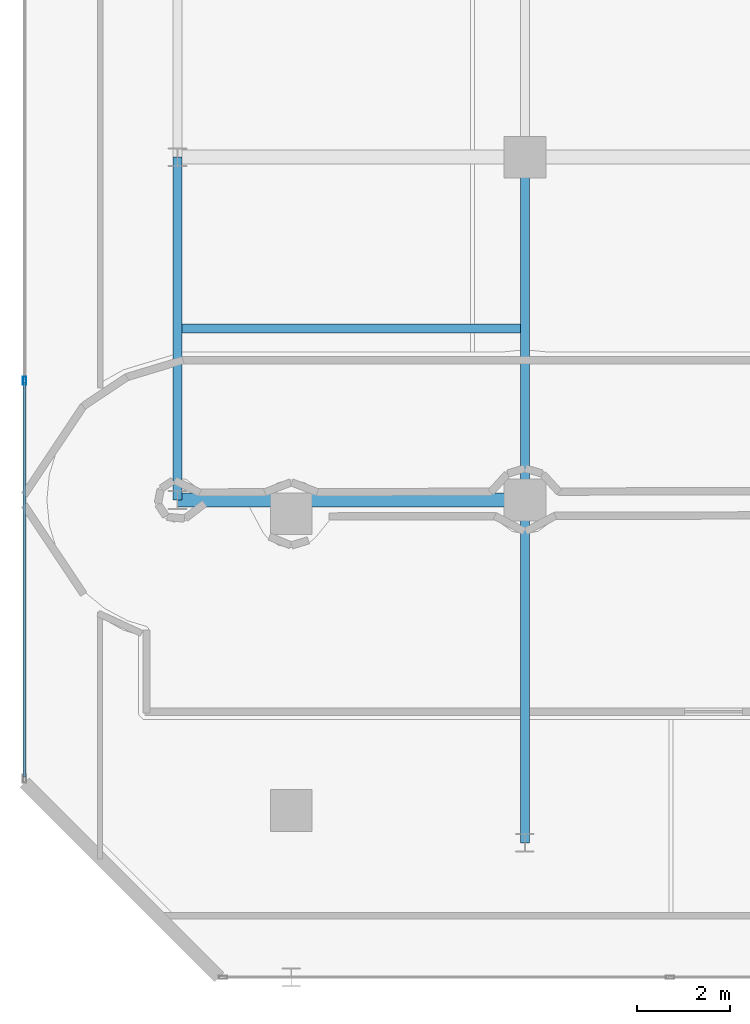
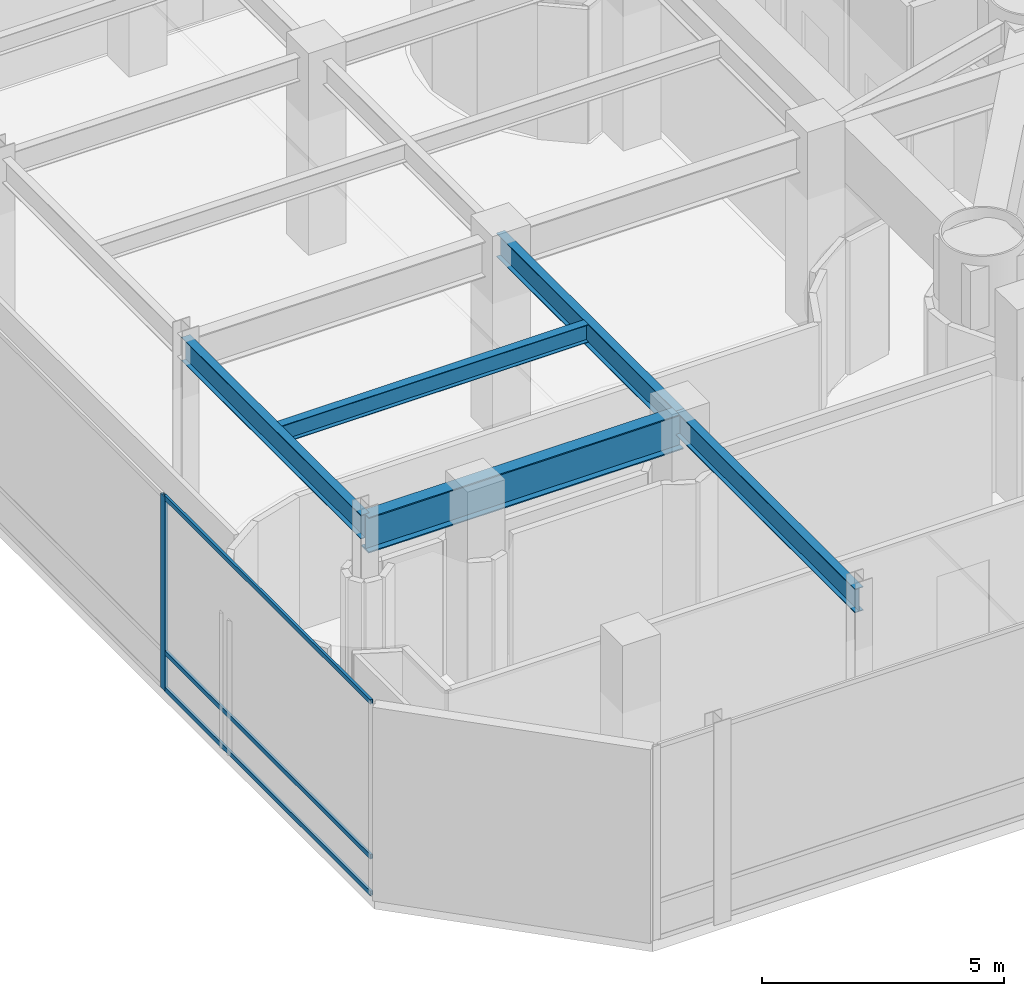
# One storey, part 6 of 40: 5 beams, 4 members, 1 element without a shape of its own.
"""IFC4 building model written with IfcOpenShell, lengths in metres."""

from ifc_helpers import new_model, si_unit, direction, frame, origin, origin_2d, place, context, subcontext, project, spatial, hollow_rectangle, i_section, extrude, material, layer, layer_set, material_profile, profile_set, type_object, element, aggregate, save


model = new_model("IFC4")

# Units and contexts
model_context = context("Model", 3, precision=1e-05, world=origin(), true_north=direction((0.0, 1.0)))
body_context = subcontext(model_context, "Body", "Model", "MODEL_VIEW")
ifc_project = project(units=[si_unit("LENGTHUNIT", "METRE"), si_unit("AREAUNIT", "SQUARE_METRE"), si_unit("VOLUMEUNIT", "CUBIC_METRE"), si_unit("PLANEANGLEUNIT", "RADIAN"), si_unit("MASSUNIT", "GRAM", prefix="KILO")], contexts=[model_context])

# Site, building, storey
site_placement = place(None, origin())
site = spatial("IfcSite", under=ifc_project, at=site_placement, CompositionType="ELEMENT")
building_placement = place(site_placement, origin())
building = spatial("IfcBuilding", under=site, at=building_placement, Name="Qianvela Tower", CompositionType="ELEMENT")
storey_placement = place(building_placement, frame((0.0, 0.0, 20.60009765625)))
storey = spatial("IfcBuildingStorey", under=building, at=storey_placement, Name="L04", CompositionType="ELEMENT", Elevation=20.60009765625)

# Beams
ifc_material_1 = material(Name="Steel Q355B", Category="steel")
ifc_material_profile_1 = material_profile(ifc_material_1, i_section(OverallWidth=0.199951171875, OverallDepth=0.449951171875, WebThickness=0.009033203125, FlangeThickness=0.013916015625, at=origin_2d()), Name="HN450x200x9x14")
ifc_profile_set_1 = profile_set([ifc_material_profile_1], Name="Steel Q355B")
beam_type_1 = type_object("IfcBeamType", Name="BM-HN450-JOIST", PredefinedType="JOIST", material=ifc_profile_set_1)
beam_1_placement = place(storey_placement, frame((7.595947265625, 18.5, 4.572998046875), z_axis=(1.0, 0.0, 0.0), x_axis=(0.0, 1.0, 0.0)))
element("IfcBeam", 1, at=beam_1_placement, inside=storey, type_object=beam_type_1, Name="L04 Secondary Floor Joist 44", PredefinedType="JOIST", context=body_context, shape_type="SweptSolid", body=[
    extrude(i_section(OverallWidth=0.199951171875, OverallDepth=0.449951171875, WebThickness=0.009033203125, FlangeThickness=0.013916015625, at=origin_2d()), origin(), (0.0, 0.0, 1.0), 7.30810546875),
])
ifc_material_2 = material(Name="Steel Q355B", Category="steel")
ifc_material_profile_2 = material_profile(ifc_material_2, i_section(OverallWidth=0.199951171875, OverallDepth=0.60009765625, WebThickness=0.010986328125, FlangeThickness=0.01708984375, at=origin_2d()), Name="HN600x200x11x17")
ifc_profile_set_2 = profile_set([ifc_material_profile_2], Name="Steel Q355B")
beam_type_2 = type_object("IfcBeamType", Name="BM-HN600-GIRD", PredefinedType="BEAM", material=ifc_profile_set_2)
beam_2_placement = place(storey_placement, frame((7.5, 14.800048828125, 4.497802734375), z_axis=(0.0, 1.0, 0.0), x_axis=(-1.0, 0.0, 0.0)))
element("IfcBeam", 2, at=beam_2_placement, inside=storey, type_object=beam_type_2, Name="L04 North-South Grid Girder 17", PredefinedType="BEAM", context=body_context, shape_type="SweptSolid", body=[
    extrude(i_section(OverallWidth=0.199951171875, OverallDepth=0.60009765625, WebThickness=0.010986328125, FlangeThickness=0.01708984375, at=origin_2d()), origin(), (0.0, 0.0, 1.0), 7.39990234375),
])
beam_3_placement = place(storey_placement, frame((15.0, 7.39990234375, 4.497802734375), z_axis=(0.0, 1.0, 0.0), x_axis=(-1.0, 0.0, 0.0)))
element("IfcBeam", 3, at=beam_3_placement, inside=storey, type_object=beam_type_2, Name="L04 North-South Grid Girder 20", PredefinedType="BEAM", context=body_context, shape_type="SweptSolid", body=[
    extrude(i_section(OverallWidth=0.199951171875, OverallDepth=0.60009765625, WebThickness=0.010986328125, FlangeThickness=0.01708984375, at=origin_2d()), origin(), (0.0, 0.0, 1.0), 7.400146484375),
])
beam_4_placement = place(storey_placement, frame((15.0, 14.800048828125, 4.497802734375), z_axis=(0.0, 1.0, 0.0), x_axis=(-1.0, 0.0, 0.0)))
element("IfcBeam", 4, at=beam_4_placement, inside=storey, type_object=beam_type_2, Name="L04 North-South Grid Girder 21", PredefinedType="BEAM", context=body_context, shape_type="SweptSolid", body=[
    extrude(i_section(OverallWidth=0.199951171875, OverallDepth=0.60009765625, WebThickness=0.010986328125, FlangeThickness=0.01708984375, at=origin_2d()), origin(), (0.0, 0.0, 1.0), 7.39990234375),
])
ifc_material_3 = material(Name="Steel Q355B", Category="steel")
ifc_material_profile_3 = material_profile(ifc_material_3, i_section(OverallWidth=0.300048828125, OverallDepth=0.89990234375, WebThickness=0.01611328125, FlangeThickness=0.028076171875, at=origin_2d()), Name="HN900x300x16x28")
ifc_profile_set_3 = profile_set([ifc_material_profile_3], Name="Steel Q355B")
beam_type_3 = type_object("IfcBeamType", Name="BM-HN900-SPAND", PredefinedType="SPANDREL", material=ifc_profile_set_3)
beam_5_placement = place(storey_placement, frame((7.5, 14.800048828125, 4.347900390625), z_axis=(1.0, 0.0, 0.0), x_axis=(0.0, 1.0, 0.0)))
element("IfcBeam", 5, at=beam_5_placement, inside=storey, type_object=beam_type_3, Name="L04 East-West Grid Girder 1", PredefinedType="SPANDREL", context=body_context, shape_type="SweptSolid", body=[
    extrude(i_section(OverallWidth=0.300048828125, OverallDepth=0.89990234375, WebThickness=0.01611328125, FlangeThickness=0.028076171875, at=origin_2d()), origin(), (0.0, 0.0, 1.0), 7.5),
])

# Curtain wall, members
ifc_material_4 = material(Name="Anodised Architectural Aluminium and Low-E Glass", Category="aluminium")
ifc_layer = layer(ifc_material_4, 0.179931640625)
ifc_layer_set = layer_set([ifc_layer], Name="Anodised Architectural Aluminium and Low-E Glass")
curtain_wall_type = type_object("IfcCurtainWallType", Name="CW-COMMONS", PredefinedType="USERDEFINED", material=ifc_layer_set)
curtain_wall_placement = place(storey_placement, origin())
curtain_wall = element("IfcCurtainWall", 6, at=curtain_wall_placement, inside=storey, type_object=curtain_wall_type, Name="L04 CW-COMMONS Curtain Wall 07", ObjectType="CURTAIN_WALL_SYSTEM", PredefinedType="USERDEFINED")
ifc_material_5 = material(Name="Anodised Architectural Aluminium 6063-T6", Category="aluminium")
ifc_material_profile_4 = material_profile(ifc_material_5, hollow_rectangle(XDim=0.070068359375, YDim=0.179931640625, WallThickness=0.0048828125, at=origin_2d()), Name="ALU-MULL-70x180")
ifc_profile_set_4 = profile_set([ifc_material_profile_4], Name="Anodised Architectural Aluminium 6063-T6")
member_type_1 = type_object("IfcMemberType", Name="CW-COMMONS-MULL", PredefinedType="MULLION", material=ifc_profile_set_4)
member_1_placement = place(storey_placement, frame((4.199951171875, 17.375, 0.0), z_axis=(0.0, 0.0, 1.0), x_axis=(1.0, 0.0, 0.0)))
member_1 = element("IfcMember", 7, at=member_1_placement, type_object=member_type_1, Name="CW-2 mullion 4", PredefinedType="MULLION", context=body_context, shape_type="SweptSolid", body=[
    extrude(hollow_rectangle(XDim=0.070068359375, YDim=0.179931640625, WallThickness=0.0048828125, at=origin_2d()), origin(), (0.0, 0.0, 1.0), 4.8798828125),
])
ifc_material_6 = material(Name="Anodised Architectural Aluminium 6063-T6", Category="aluminium")
ifc_material_profile_5 = material_profile(ifc_material_6, hollow_rectangle(XDim=0.06005859375, YDim=0.114990234375, WallThickness=0.00390625, at=origin_2d()), Name="ALU-TRAN-60x115")
ifc_profile_set_5 = profile_set([ifc_material_profile_5], Name="Anodised Architectural Aluminium 6063-T6")
member_type_2 = type_object("IfcMemberType", Name="CW-COMMONS-TRAN", PredefinedType="USERDEFINED", material=ifc_profile_set_5)
member_2_placement = place(storey_placement, frame((4.199951171875, 17.340087890625, 0.02978515625), z_axis=(0.0, -1.0, 0.0), x_axis=(1.0, 0.0, 0.0)))
member_2 = element("IfcMember", 8, at=member_2_placement, type_object=member_type_2, Name="CW-2 transom 4.1", ObjectType="TRANSOM", PredefinedType="USERDEFINED", context=body_context, shape_type="SweptSolid", body=[
    extrude(hollow_rectangle(XDim=0.06005859375, YDim=0.114990234375, WallThickness=0.00390625, at=origin_2d()), origin(), (0.0, 0.0, 1.0), 8.52001953125),
])
member_3_placement = place(storey_placement, frame((4.199951171875, 17.340087890625, 0.949951171875), z_axis=(0.0, -1.0, 0.0), x_axis=(1.0, 0.0, 0.0)))
member_3 = element("IfcMember", 9, at=member_3_placement, type_object=member_type_2, Name="CW-2 transom 4.2", ObjectType="TRANSOM", PredefinedType="USERDEFINED", context=body_context, shape_type="SweptSolid", body=[
    extrude(hollow_rectangle(XDim=0.06005859375, YDim=0.114990234375, WallThickness=0.00390625, at=origin_2d()), origin(), (0.0, 0.0, 1.0), 8.52001953125),
])
member_4_placement = place(storey_placement, frame((4.199951171875, 17.340087890625, 4.849853515625), z_axis=(0.0, -1.0, 0.0), x_axis=(1.0, 0.0, 0.0)))
member_4 = element("IfcMember", 10, at=member_4_placement, type_object=member_type_2, Name="CW-2 transom 4.3", ObjectType="TRANSOM", PredefinedType="USERDEFINED", context=body_context, shape_type="SweptSolid", body=[
    extrude(hollow_rectangle(XDim=0.06005859375, YDim=0.114990234375, WallThickness=0.00390625, at=origin_2d()), origin(), (0.0, 0.0, 1.0), 8.52001953125),
])
aggregate(curtain_wall, [member_1, member_2, member_3, member_4])

save(model, "model.ifc")
